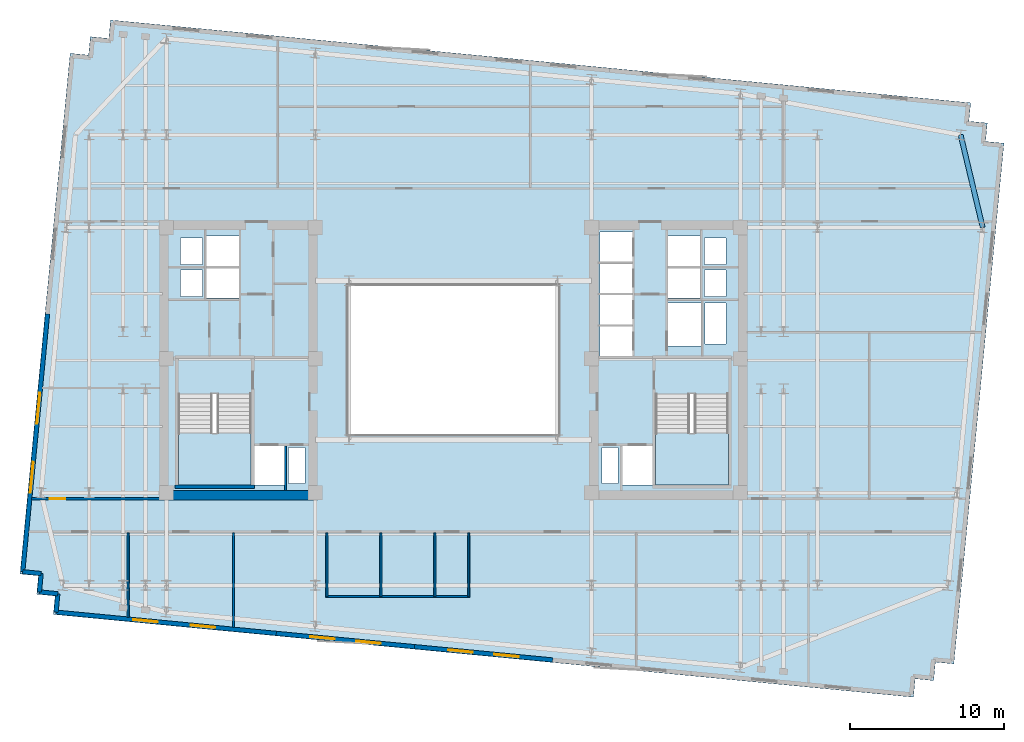
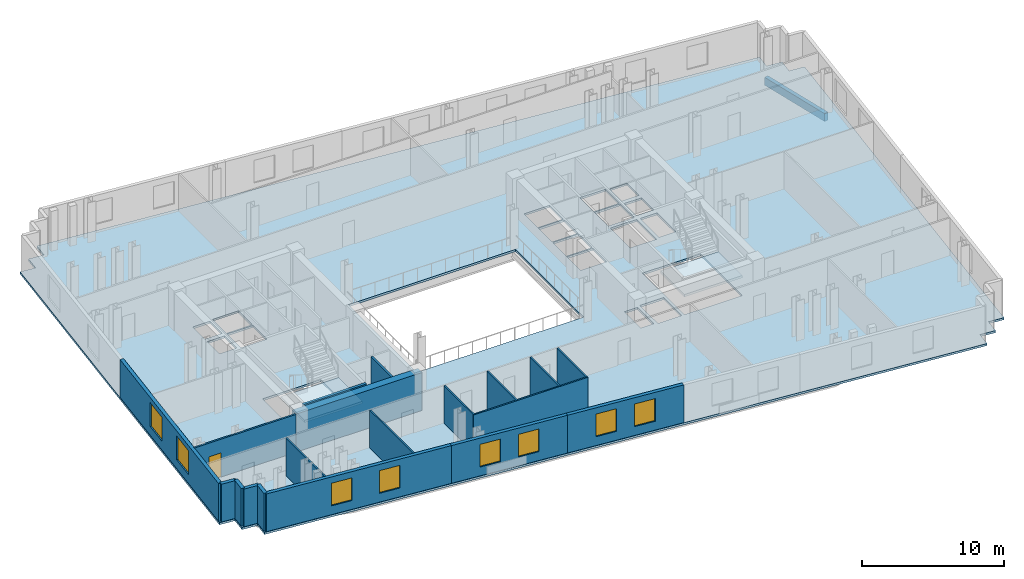
# One storey, part 3 of 9: 19 walls, 8 windows, 3 slabs, 1 beam, 1 door, 9 openings, 2 elements without a shape of their own.
"""IFC4 building model written with IfcOpenShell, lengths in metres."""

from ifc_helpers import new_model, si_unit, direction, frame, frame_2d, origin, origin_2d, place, context, subcontext, project, spatial, polyline, rectangle, outline, extrude, material, layer, layer_set, material_profile, profile_set, type_object, element, fill, aggregate, save


model = new_model("IFC4")

# Units and contexts
model_context = context("Model", 3, precision=1e-05, world=origin(), true_north=direction((0.0, 1.0)))
body_context = subcontext(model_context, "Body", "Model", "MODEL_VIEW")
ifc_project = project(units=[si_unit("LENGTHUNIT", "METRE"), si_unit("AREAUNIT", "SQUARE_METRE"), si_unit("VOLUMEUNIT", "CUBIC_METRE"), si_unit("PLANEANGLEUNIT", "RADIAN"), si_unit("MASSUNIT", "GRAM", prefix="KILO")], contexts=[model_context])

# Site, building, storey
site_placement = place(None, origin())
site = spatial("IfcSite", under=ifc_project, at=site_placement, CompositionType="ELEMENT")
building_placement = place(site_placement, origin())
building = spatial("IfcBuilding", under=site, at=building_placement, Name="Velakula Bourse", CompositionType="ELEMENT")
storey_placement = place(building_placement, frame((0.0, 0.0, 181.10009765625)))
storey = spatial("IfcBuildingStorey", under=building, at=storey_placement, Name="L49", CompositionType="ELEMENT", Elevation=181.10009765625)

# Beam
ifc_material_1 = material(Name="Precast concrete M45 (fck 45 MPa)", Category="concrete")
ifc_material_profile = material_profile(ifc_material_1, rectangle(XDim=0.320068359375, YDim=0.679931640625, at=origin_2d()), Name="Precast concrete M45 (fck 45 MPa)")
ifc_profile_set = profile_set([ifc_material_profile], Name="Precast concrete M45 (fck 45 MPa)")
beam_type = type_object("IfcBeamType", Name="SPN-BRICK-680", PredefinedType="SPANDREL", material=ifc_profile_set)
beam_placement = place(storey_placement, frame((34.30517578125, 8.60009765625, -0.52001953125), z_axis=(-0.232091371601, 0.972693988482, 0.0), x_axis=(-0.972693988482, -0.232091371601, 0.0)))
element("IfcBeam", 1, at=beam_placement, inside=storey, type_object=beam_type, Name="L49 Brick-Faced Precast Spandrel E3-E4", PredefinedType="SPANDREL", context=body_context, shape_type="SweptSolid", body=[
    extrude(rectangle(XDim=0.320068359375, YDim=0.679931640625, at=origin_2d()), origin(), (0.0, 0.0, 1.0), 6.16845703125),
])

# Stair, slab
ifc_material_2 = material(Name="Concrete M45 (fck 45 MPa)", Category="concrete")
stair_type = type_object("IfcStairType", Name="STR-DOG-390", PredefinedType="HALF_TURN_STAIR", material=ifc_material_2)
stair_1_placement = place(storey_placement, origin())
stair_1 = element("IfcStair", 2, at=stair_1_placement, inside=storey, type_object=stair_type, Name="L49 West Core Exit Stair ST-W1", PredefinedType="HALF_TURN_STAIR")
ifc_layer_1 = layer(ifc_material_2, 0.199951171875, Name="Concrete M45 (fck 45 MPa)", Category="concrete")
ifc_layer_set_1 = layer_set([ifc_layer_1], Name="Concrete M45 (fck 45 MPa)")
slab_type_1 = type_object("IfcSlabType", Name="SLB-STAIR-LND-200", PredefinedType="LANDING", material=ifc_layer_set_1)
slab_1_placement = place(storey_placement, frame((0.0, 0.0, 1.52490234375)))
slab_1 = element("IfcSlab", 3, at=slab_1_placement, type_object=slab_type_1, Name="ST-W1 landing 1", PredefinedType="LANDING", context=body_context, shape_type="SweptSolid", body=[
    extrude(outline(polyline([(-17.820068359375, -4.719970703125), (-17.820068359375, -8.10009765625), (-13.10009765625, -8.10009765625), (-13.10009765625, -4.719970703125), (-17.820068359375, -4.719970703125)])), origin(), (0.0, 0.0, 1.0), 0.199951171875),
])
aggregate(stair_1, [slab_1])

stair_2_placement = place(storey_placement, origin())
stair_2 = element("IfcStair", 4, at=stair_2_placement, inside=storey, type_object=stair_type, Name="L49 East Core Exit Stair ST-E1", PredefinedType="HALF_TURN_STAIR")
slab_2_placement = place(storey_placement, frame((0.0, 0.0, 1.52490234375)))
slab_2 = element("IfcSlab", 5, at=slab_2_placement, type_object=slab_type_1, Name="ST-E1 landing 1", PredefinedType="LANDING", context=body_context, shape_type="SweptSolid", body=[
    extrude(outline(polyline([(13.10009765625, -4.719970703125), (13.10009765625, -8.10009765625), (17.820068359375, -8.10009765625), (17.820068359375, -4.719970703125), (13.10009765625, -4.719970703125)])), origin(), (0.0, 0.0, 1.0), 0.199951171875),
])
aggregate(stair_2, [slab_2])

# Slab
ifc_material_3 = material(Name="Concrete M50 (fck 50 MPa)", Category="concrete")
ifc_layer_2 = layer(ifc_material_3, 0.179931640625, Name="Concrete M50 (fck 50 MPa)", Category="concrete")
ifc_layer_set_2 = layer_set([ifc_layer_2], Name="Concrete M50 (fck 50 MPa)")
slab_type_2 = type_object("IfcSlabType", Name="SLB-TWR-180", PredefinedType="FLOOR", material=ifc_layer_set_2)
slab_3_placement = place(storey_placement, frame((0.0, 0.0, -0.18017578125)))
element("IfcSlab", 6, at=slab_3_placement, inside=storey, type_object=slab_type_2, Name="L49 Suspended Structural Floor Slab", PredefinedType="FLOOR", context=body_context, shape_type="SweptSolid", body=[
    extrude(outline(polyline([(-25.92578125, -16.477294921875), (29.81640625, -21.844482421875), (29.931396484375, -20.650146484375), (31.1259765625, -20.76513671875), (31.240966796875, -19.570556640625), (32.435546875, -19.685791015625), (35.6845703125, 14.058349609375), (34.490234375, 14.17333984375), (34.605224609375, 15.36767578125), (33.41064453125, 15.482666015625), (33.525634765625, 16.67724609375), (-22.216552734375, 22.044677734375), (-22.33154296875, 20.85009765625), (-23.52587890625, 20.965087890625), (-23.640869140625, 19.770751953125), (-24.83544921875, 19.8857421875), (-28.084716796875, -13.858154296875), (-26.89013671875, -13.973388671875), (-27.005126953125, -15.167724609375), (-25.810791015625, -15.28271484375), (-25.92578125, -16.477294921875)]), holes=[polyline([(-17.820068359375, -8.10009765625), (-13.10009765625, -8.10009765625), (-13.10009765625, -2.199951171875), (-17.820068359375, -2.199951171875), (-17.820068359375, -8.10009765625)]), polyline([(13.10009765625, -8.10009765625), (17.820068359375, -8.10009765625), (17.820068359375, -2.199951171875), (13.10009765625, -2.199951171875), (13.10009765625, -8.10009765625)]), polyline([(-12.89990234375, -8.10009765625), (-10.949951171875, -8.10009765625), (-10.949951171875, -5.550048828125), (-12.89990234375, -5.550048828125), (-12.89990234375, -8.10009765625)]), polyline([(10.949951171875, -8.10009765625), (12.89990234375, -8.10009765625), (12.89990234375, -5.550048828125), (10.949951171875, -5.550048828125), (10.949951171875, -8.10009765625)]), polyline([(13.89990234375, 0.919921875), (16.050048828125, 0.919921875), (16.050048828125, 3.719970703125), (13.89990234375, 3.719970703125), (13.89990234375, 0.919921875)]), polyline([(-10.679931640625, -7.97998046875), (-9.6201171875, -7.97998046875), (-9.6201171875, -5.669921875), (-10.679931640625, -5.669921875), (-10.679931640625, -7.97998046875)]), polyline([(-17.679931640625, 4.139892578125), (-16.27001953125, 4.139892578125), (-16.27001953125, 5.85009765625), (-17.679931640625, 5.85009765625), (-17.679931640625, 4.139892578125)]), polyline([(-17.679931640625, 6.2099609375), (-16.27001953125, 6.2099609375), (-16.27001953125, 7.919921875), (-17.679931640625, 7.919921875), (-17.679931640625, 6.2099609375)]), polyline([(9.6201171875, -7.97998046875), (10.679931640625, -7.97998046875), (10.679931640625, -5.669921875), (9.6201171875, -5.669921875), (9.6201171875, -7.97998046875)]), polyline([(16.27001953125, 4.139892578125), (17.679931640625, 4.139892578125), (17.679931640625, 5.85009765625), (16.27001953125, 5.85009765625), (16.27001953125, 4.139892578125)]), polyline([(16.27001953125, 6.2099609375), (17.679931640625, 6.2099609375), (17.679931640625, 7.919921875), (16.27001953125, 7.919921875), (16.27001953125, 6.2099609375)]), polyline([(16.320068359375, 1.0400390625), (17.679931640625, 1.0400390625), (17.679931640625, 3.699951171875), (16.320068359375, 3.699951171875), (16.320068359375, 1.0400390625)]), polyline([(9.5, 0.280029296875), (11.60009765625, 0.280029296875), (11.60009765625, 2.199951171875), (9.5, 2.199951171875), (9.5, 0.280029296875)]), polyline([(9.5, 2.31005859375), (11.60009765625, 2.31005859375), (11.60009765625, 4.22998046875), (9.5, 4.22998046875), (9.5, 2.31005859375)]), polyline([(9.5, 4.340087890625), (11.60009765625, 4.340087890625), (11.60009765625, 6.260009765625), (9.5, 6.260009765625), (9.5, 4.340087890625)]), polyline([(9.5, 6.3701171875), (11.60009765625, 6.3701171875), (11.60009765625, 8.2900390625), (9.5, 8.2900390625), (9.5, 6.3701171875)]), polyline([(-16.0, 4.02001953125), (-13.89990234375, 4.02001953125), (-13.89990234375, 5.969970703125), (-16.0, 5.969970703125), (-16.0, 4.02001953125)]), polyline([(-16.0, 6.090087890625), (-13.89990234375, 6.090087890625), (-13.89990234375, 8.0400390625), (-16.0, 8.0400390625), (-16.0, 6.090087890625)]), polyline([(13.89990234375, 4.02001953125), (16.0, 4.02001953125), (16.0, 5.969970703125), (13.89990234375, 5.969970703125), (13.89990234375, 4.02001953125)]), polyline([(13.89990234375, 6.090087890625), (16.0, 6.090087890625), (16.0, 8.0400390625), (13.89990234375, 8.0400390625), (13.89990234375, 6.090087890625)]), polyline([(-6.800048828125, -4.800048828125), (6.800048828125, -4.800048828125), (6.800048828125, 4.800048828125), (-6.800048828125, 4.800048828125), (-6.800048828125, -4.800048828125)])]), origin(), (0.0, 0.0, 1.0), 0.18017578125),
])

# Walls
ifc_layer_3 = layer(ifc_material_3, 0.2099609375, Name="Concrete M50 (fck 50 MPa)", Category="concrete")
ifc_layer_set_3 = layer_set([ifc_layer_3], Name="Concrete M50 (fck 50 MPa)")
wall_type_1 = type_object("IfcWallType", Name="WL-CORE-210", PredefinedType="SHEAR", material=ifc_layer_set_3)
wall_1_placement = place(storey_placement, frame((-18.030029296875, -8.205078125, 0.0), z_axis=(0.0, 0.0, 1.0), x_axis=(1.0, 0.0, 0.0)))
element("IfcWall", 7, at=wall_1_placement, inside=storey, type_object=wall_type_1, Name="L49 Core W Stairwell Shear Wall S", PredefinedType="SHEAR", context=body_context, shape_type="SweptSolid", body=[
    extrude(rectangle(XDim=5.14013671875, YDim=0.2099609375, at=frame_2d((2.570068359375, 0.0))), origin(), (0.0, 0.0, 1.0), 3.27001953125),
])
ifc_material_4 = material(Name="Concrete M70 (fck 70 MPa)", Category="concrete")
ifc_layer_4 = layer(ifc_material_4, 0.60009765625, Name="Concrete M70 (fck 70 MPa)", Category="concrete")
ifc_layer_set_4 = layer_set([ifc_layer_4], Name="Concrete M70 (fck 70 MPa)")
wall_type_2 = type_object("IfcWallType", Name="WL-CORE-600", PredefinedType="SHEAR", material=ifc_layer_set_4)
wall_2_placement = place(storey_placement, frame((-19.050048828125, -8.75, 0.0), z_axis=(0.0, 0.0, 1.0), x_axis=(1.0, 0.0, 0.0)))
element("IfcWall", 8, at=wall_2_placement, inside=storey, type_object=wall_type_2, Name="L49 Core W Shear Wall S", PredefinedType="SHEAR", context=body_context, shape_type="SweptSolid", body=[
    extrude(rectangle(XDim=10.25, YDim=0.60009765625, at=frame_2d((5.125, 0.0))), origin(), (0.0, 0.0, 1.0), 3.27001953125),
])

# Wall, openings, windows
ifc_material_5 = material(Name="Red kilned clay facing brick masonry", Category="masonry")
ifc_layer_5 = layer(ifc_material_5, 0.280029296875, Name="Red kilned clay facing brick masonry", Category="masonry")
ifc_layer_set_5 = layer_set([ifc_layer_5], Name="Red kilned clay facing brick masonry")
wall_type_3 = type_object("IfcWallType", Name="WL-EXT-BRK-280", PredefinedType="STANDARD", material=ifc_layer_set_5)
wall_3_placement = place(storey_placement, frame((-11.47705078125, -17.707763671875, 0.0), z_axis=(0.0, 0.0, 1.0), x_axis=(-0.995395762701, 0.095850276977, 0.0)))
wall_3 = element("IfcWall", 9, at=wall_3_placement, inside=storey, type_object=wall_type_3, Name="L49 S Brick Spandrel Wall B1", PredefinedType="STANDARD", context=body_context, shape_type="SweptSolid", body=[
    extrude(rectangle(XDim=14.340087890625, YDim=0.280029296875, at=frame_2d((7.169921875, 0.0))), origin(), (0.0, 0.0, 1.0), 3.25),
])
opening_1_placement = place(wall_3_placement, frame((3.97998046875, 0.0, 0.760009765625)))
opening_1 = element("IfcOpeningElement", 10, at=opening_1_placement, cuts=wall_3, Name="Opening W-02", PredefinedType="OPENING", context=body_context, shape_type="SweptSolid", body=[
    extrude(rectangle(XDim=1.60009765625, YDim=1.949951171875, at=frame_2d((0.800048828125, 0.97509765625))), frame((0.0, 0.14990234375, 0.0), z_axis=(0.0, -1.0, 0.0), x_axis=(1.0, 0.0, 0.0)), (0.0, 0.0, 1.0), 0.300048828125),
])
opening_2_placement = place(wall_3_placement, frame((7.7099609375, 0.0, 0.760009765625)))
opening_2 = element("IfcOpeningElement", 11, at=opening_2_placement, cuts=wall_3, Name="Opening W-02", PredefinedType="OPENING", context=body_context, shape_type="SweptSolid", body=[
    extrude(rectangle(XDim=1.60009765625, YDim=1.949951171875, at=frame_2d((0.800048828125, 0.97509765625))), frame((0.0, 0.14990234375, 0.0), z_axis=(0.0, -1.0, 0.0), x_axis=(1.0, 0.0, 0.0)), (0.0, 0.0, 1.0), 0.300048828125),
])
ifc_material_6 = material(Name="Double-glazed solar-control Low-E glass", Category="glass")
window_type_1 = type_object("IfcWindowType", Name="WIN-TWR-1600x2100", PartitioningType="SINGLE_PANEL", PredefinedType="WINDOW", material=ifc_material_6)
window_1_placement = place(opening_1_placement, origin())
window_1 = element("IfcWindow", 12, at=window_1_placement, inside=storey, type_object=window_type_1, Name="L49 Deep-Set Recessed Window 1", OverallHeight=1.949951171875, OverallWidth=1.60009765625, PartitioningType="SINGLE_PANEL", PredefinedType="WINDOW", context=body_context, shape_type="SweptSolid", body=[
    extrude(rectangle(XDim=1.60009765625, YDim=1.949951171875, at=frame_2d((0.800048828125, 0.97509765625))), frame((0.0, 0.030029296875, 0.0), z_axis=(0.0, -1.0, 0.0), x_axis=(1.0, 0.0, 0.0)), (0.0, 0.0, 1.0), 0.06005859375),
])
fill(opening_1, window_1)
window_2_placement = place(opening_2_placement, origin())
window_2 = element("IfcWindow", 13, at=window_2_placement, inside=storey, type_object=window_type_1, Name="L49 Deep-Set Recessed Window 2", OverallHeight=1.949951171875, OverallWidth=1.60009765625, PartitioningType="SINGLE_PANEL", PredefinedType="WINDOW", context=body_context, shape_type="SweptSolid", body=[
    extrude(rectangle(XDim=1.60009765625, YDim=1.949951171875, at=frame_2d((0.800048828125, 0.97509765625))), frame((0.0, 0.030029296875, 0.0), z_axis=(0.0, -1.0, 0.0), x_axis=(1.0, 0.0, 0.0)), (0.0, 0.0, 1.0), 0.06005859375),
])
fill(opening_2, window_2)

wall_4_placement = place(storey_placement, frame((-2.5185546875, -18.5703125, 0.0), z_axis=(0.0, 0.0, 1.0), x_axis=(-0.995396794462, 0.09583956164, 0.0)))
wall_4 = element("IfcWall", 14, at=wall_4_placement, inside=storey, type_object=wall_type_3, Name="L49 S Brick Spandrel Wall B2", PredefinedType="STANDARD", context=body_context, shape_type="SweptSolid", body=[
    extrude(rectangle(XDim=9.0, YDim=0.280029296875, at=frame_2d((4.5, 0.0))), origin(), (0.0, 0.0, 1.0), 3.25),
])
opening_3_placement = place(wall_4_placement, frame((2.199951171875, 0.0, 0.760009765625)))
opening_3 = element("IfcOpeningElement", 15, at=opening_3_placement, cuts=wall_4, Name="Opening W-02", PredefinedType="OPENING", context=body_context, shape_type="SweptSolid", body=[
    extrude(rectangle(XDim=1.60009765625, YDim=1.949951171875, at=frame_2d((0.800048828125, 0.97509765625))), frame((0.0, 0.14990234375, 0.0), z_axis=(0.0, -1.0, 0.0), x_axis=(1.0, 0.0, 0.0)), (0.0, 0.0, 1.0), 0.300048828125),
])
opening_4_placement = place(wall_4_placement, frame((5.199951171875, 0.0, 0.760009765625)))
opening_4 = element("IfcOpeningElement", 16, at=opening_4_placement, cuts=wall_4, Name="Opening W-02", PredefinedType="OPENING", context=body_context, shape_type="SweptSolid", body=[
    extrude(rectangle(XDim=1.60009765625, YDim=1.949951171875, at=frame_2d((0.800048828125, 0.97509765625))), frame((0.0, 0.14990234375, 0.0), z_axis=(0.0, -1.0, 0.0), x_axis=(1.0, 0.0, 0.0)), (0.0, 0.0, 1.0), 0.300048828125),
])
window_3_placement = place(opening_3_placement, origin())
window_3 = element("IfcWindow", 17, at=window_3_placement, inside=storey, type_object=window_type_1, Name="L49 Deep-Set Recessed Window 1", OverallHeight=1.949951171875, OverallWidth=1.60009765625, PartitioningType="SINGLE_PANEL", PredefinedType="WINDOW", context=body_context, shape_type="SweptSolid", body=[
    extrude(rectangle(XDim=1.60009765625, YDim=1.949951171875, at=frame_2d((0.800048828125, 0.97509765625))), frame((0.0, 0.030029296875, 0.0), z_axis=(0.0, -1.0, 0.0), x_axis=(1.0, 0.0, 0.0)), (0.0, 0.0, 1.0), 0.06005859375),
])
fill(opening_3, window_3)
window_4_placement = place(opening_4_placement, origin())
window_4 = element("IfcWindow", 18, at=window_4_placement, inside=storey, type_object=window_type_1, Name="L49 Deep-Set Recessed Window 2", OverallHeight=1.949951171875, OverallWidth=1.60009765625, PartitioningType="SINGLE_PANEL", PredefinedType="WINDOW", context=body_context, shape_type="SweptSolid", body=[
    extrude(rectangle(XDim=1.60009765625, YDim=1.949951171875, at=frame_2d((0.800048828125, 0.97509765625))), frame((0.0, 0.030029296875, 0.0), z_axis=(0.0, -1.0, 0.0), x_axis=(1.0, 0.0, 0.0)), (0.0, 0.0, 1.0), 0.06005859375),
])
fill(opening_4, window_4)

wall_5_placement = place(storey_placement, frame((6.43994140625, -19.432861328125, 0.0), z_axis=(0.0, 0.0, 1.0), x_axis=(-0.995396794462, 0.09583956164, 0.0)))
wall_5 = element("IfcWall", 19, at=wall_5_placement, inside=storey, type_object=wall_type_3, Name="L49 S Brick Spandrel Wall B3", PredefinedType="STANDARD", context=body_context, shape_type="SweptSolid", body=[
    extrude(rectangle(XDim=9.0, YDim=0.280029296875, at=frame_2d((4.5, 0.0))), origin(), (0.0, 0.0, 1.0), 3.25),
])
opening_5_placement = place(wall_5_placement, frame((2.199951171875, 0.0, 0.760009765625)))
opening_5 = element("IfcOpeningElement", 20, at=opening_5_placement, cuts=wall_5, Name="Opening W-02", PredefinedType="OPENING", context=body_context, shape_type="SweptSolid", body=[
    extrude(rectangle(XDim=1.60009765625, YDim=1.949951171875, at=frame_2d((0.800048828125, 0.97509765625))), frame((0.0, 0.14990234375, 0.0), z_axis=(0.0, -1.0, 0.0), x_axis=(1.0, 0.0, 0.0)), (0.0, 0.0, 1.0), 0.300048828125),
])
opening_6_placement = place(wall_5_placement, frame((5.199951171875, 0.0, 0.760009765625)))
opening_6 = element("IfcOpeningElement", 21, at=opening_6_placement, cuts=wall_5, Name="Opening W-02", PredefinedType="OPENING", context=body_context, shape_type="SweptSolid", body=[
    extrude(rectangle(XDim=1.60009765625, YDim=1.949951171875, at=frame_2d((0.800048828125, 0.97509765625))), frame((0.0, 0.14990234375, 0.0), z_axis=(0.0, -1.0, 0.0), x_axis=(1.0, 0.0, 0.0)), (0.0, 0.0, 1.0), 0.300048828125),
])
window_5_placement = place(opening_5_placement, origin())
window_5 = element("IfcWindow", 22, at=window_5_placement, inside=storey, type_object=window_type_1, Name="L49 Deep-Set Recessed Window 1", OverallHeight=1.949951171875, OverallWidth=1.60009765625, PartitioningType="SINGLE_PANEL", PredefinedType="WINDOW", context=body_context, shape_type="SweptSolid", body=[
    extrude(rectangle(XDim=1.60009765625, YDim=1.949951171875, at=frame_2d((0.800048828125, 0.97509765625))), frame((0.0, 0.030029296875, 0.0), z_axis=(0.0, -1.0, 0.0), x_axis=(1.0, 0.0, 0.0)), (0.0, 0.0, 1.0), 0.06005859375),
])
fill(opening_5, window_5)
window_6_placement = place(opening_6_placement, origin())
window_6 = element("IfcWindow", 23, at=window_6_placement, inside=storey, type_object=window_type_1, Name="L49 Deep-Set Recessed Window 2", OverallHeight=1.949951171875, OverallWidth=1.60009765625, PartitioningType="SINGLE_PANEL", PredefinedType="WINDOW", context=body_context, shape_type="SweptSolid", body=[
    extrude(rectangle(XDim=1.60009765625, YDim=1.949951171875, at=frame_2d((0.800048828125, 0.97509765625))), frame((0.0, 0.030029296875, 0.0), z_axis=(0.0, -1.0, 0.0), x_axis=(1.0, 0.0, 0.0)), (0.0, 0.0, 1.0), 0.06005859375),
])
fill(opening_6, window_6)

wall_6_placement = place(storey_placement, frame((-27.909912109375, -13.71435546875, 0.0), z_axis=(0.0, 0.0, 1.0), x_axis=(0.095839027265, 0.995396845913, 0.0)))
wall_6 = element("IfcWall", 24, at=wall_6_placement, inside=storey, type_object=wall_type_3, Name="L49 W Brick End Wall W1", PredefinedType="STANDARD", context=body_context, shape_type="SweptSolid", body=[
    extrude(rectangle(XDim=16.7900390625, YDim=0.280029296875, at=frame_2d((8.39501953125, 0.0))), origin(), (0.0, 0.0, 1.0), 3.25),
])
opening_7_placement = place(wall_6_placement, frame((5.146728515625, 0.0, 0.760009765625)))
opening_7 = element("IfcOpeningElement", 25, at=opening_7_placement, cuts=wall_6, Name="Opening W-05", PredefinedType="OPENING", context=body_context, shape_type="SweptSolid", body=[
    extrude(rectangle(XDim=2.0, YDim=2.050048828125, at=frame_2d((1.0, 1.02490234375))), frame((0.0, 0.14990234375, 0.0), z_axis=(0.0, -1.0, 0.0), x_axis=(1.0, 0.0, 0.0)), (0.0, 0.0, 1.0), 0.300048828125),
])
opening_8_placement = place(wall_6_placement, frame((9.643310546875, 0.0, 0.760009765625)))
opening_8 = element("IfcOpeningElement", 26, at=opening_8_placement, cuts=wall_6, Name="Opening W-05", PredefinedType="OPENING", context=body_context, shape_type="SweptSolid", body=[
    extrude(rectangle(XDim=2.0, YDim=2.050048828125, at=frame_2d((1.0, 1.02490234375))), frame((0.0, 0.14990234375, 0.0), z_axis=(0.0, -1.0, 0.0), x_axis=(1.0, 0.0, 0.0)), (0.0, 0.0, 1.0), 0.300048828125),
])
window_type_2 = type_object("IfcWindowType", Name="WIN-TWR-2000x2200", PartitioningType="DOUBLE_PANEL_VERTICAL", PredefinedType="WINDOW", material=ifc_material_6)
window_7_placement = place(opening_7_placement, origin())
window_7 = element("IfcWindow", 27, at=window_7_placement, inside=storey, type_object=window_type_2, Name="L49 Deep-Set Recessed Window 1", OverallHeight=2.050048828125, OverallWidth=2.0, PartitioningType="DOUBLE_PANEL_VERTICAL", PredefinedType="WINDOW", context=body_context, shape_type="SweptSolid", body=[
    extrude(rectangle(XDim=2.0, YDim=2.050048828125, at=frame_2d((1.0, 1.02490234375))), frame((0.0, 0.030029296875, 0.0), z_axis=(0.0, -1.0, 0.0), x_axis=(1.0, 0.0, 0.0)), (0.0, 0.0, 1.0), 0.06005859375),
])
fill(opening_7, window_7)
window_8_placement = place(opening_8_placement, origin())
window_8 = element("IfcWindow", 28, at=window_8_placement, inside=storey, type_object=window_type_2, Name="L49 Deep-Set Recessed Window 2", OverallHeight=2.050048828125, OverallWidth=2.0, PartitioningType="DOUBLE_PANEL_VERTICAL", PredefinedType="WINDOW", context=body_context, shape_type="SweptSolid", body=[
    extrude(rectangle(XDim=2.0, YDim=2.050048828125, at=frame_2d((1.0, 1.02490234375))), frame((0.0, 0.030029296875, 0.0), z_axis=(0.0, -1.0, 0.0), x_axis=(1.0, 0.0, 0.0)), (0.0, 0.0, 1.0), 0.06005859375),
])
fill(opening_8, window_8)

# Walls
wall_7_placement = place(storey_placement, frame((-27.909912109375, -13.71435546875, 0.0), z_axis=(0.0, 0.0, 1.0), x_axis=(0.995397091755, -0.095836473879, 0.0)))
element("IfcWall", 29, at=wall_7_placement, inside=storey, type_object=wall_type_3, Name="L49 Serrated Corner Brick Wall SW-1", PredefinedType="STANDARD", context=body_context, shape_type="SweptSolid", body=[
    extrude(rectangle(XDim=1.199951171875, YDim=0.280029296875, at=frame_2d((0.60009765625, 0.0))), origin(), (0.0, 0.0, 1.0), 3.25),
])
for number, where, z_axis, x_axis, name in (
    (30, (-26.715576171875, -13.829345703125, 0.0), (0.0, 0.0, 1.0), (-0.095817067274, -0.995398960025, 0.0), "L49 Serrated Corner Brick Wall SW-2"),
    (31, (-26.83056640625, -15.02392578125, 0.0), (0.0, 0.0, 1.0), (0.995398960025, -0.095817067274, 0.0), "L49 Serrated Corner Brick Wall SW-3"),
):
    element("IfcWall", number, at=place(storey_placement, frame(where, z_axis=z_axis, x_axis=x_axis)), inside=storey, type_object=wall_type_3, Name=name, PredefinedType="STANDARD", context=body_context, shape_type="SweptSolid", body=[
        extrude(rectangle(XDim=1.2001953125, YDim=0.280029296875, at=frame_2d((0.60009765625, 0.0))), origin(), (0.0, 0.0, 1.0), 3.25),
    ])
wall_8_placement = place(storey_placement, frame((-25.635986328125, -15.138916015625, 0.0), z_axis=(0.0, 0.0, 1.0), x_axis=(-0.096038073607, -0.995377661201, 0.0)))
element("IfcWall", 32, at=wall_8_placement, inside=storey, type_object=wall_type_3, Name="L49 Serrated Corner Brick Wall SW-4", PredefinedType="STANDARD", context=body_context, shape_type="SweptSolid", body=[
    extrude(rectangle(XDim=1.199951171875, YDim=0.280029296875, at=frame_2d((0.60009765625, 0.0))), origin(), (0.0, 0.0, 1.0), 3.25),
])
ifc_material_7 = material(Name="Fire-rated double-layer gypsum drywall partition", Category="gypsum")
ifc_layer_6 = layer(ifc_material_7, 0.1201171875, Name="Fire-rated double-layer gypsum drywall partition", Category="gypsum")
ifc_layer_set_6 = layer_set([ifc_layer_6], Name="Fire-rated double-layer gypsum drywall partition")
wall_type_4 = type_object("IfcWallType", Name="WL-PART-120", PredefinedType="STANDARD", material=ifc_layer_set_6)
wall_9_placement = place(storey_placement, frame((-8.260009765625, -15.320068359375, 0.0), z_axis=(0.0, 0.0, 1.0), x_axis=(1.0, 0.0, 0.0)))
element("IfcWall", 33, at=wall_9_placement, inside=storey, type_object=wall_type_4, Name="L49 Interior Partition WL-WC-L49-BACK", PredefinedType="STANDARD", context=body_context, shape_type="SweptSolid", body=[
    extrude(rectangle(XDim=9.320068359375, YDim=0.1201171875, at=frame_2d((4.66015625, 0.0))), origin(), (0.0, 0.0, 1.0), 3.25),
])
for number, where, z_axis, x_axis, name in (
    (34, (-8.199951171875, -15.320068359375, 0.0), (0.0, 0.0, 1.0), (0.0, 1.0, 0.0), "L49 Interior Partition WL-WC-L49-V1"),
    (35, (-4.699951171875, -15.320068359375, 0.0), (0.0, 0.0, 1.0), (0.0, 1.0, 0.0), "L49 Interior Partition WL-WC-L49-V2"),
    (36, (-1.199951171875, -15.320068359375, 0.0), (0.0, 0.0, 1.0), (0.0, 1.0, 0.0), "L49 Interior Partition WL-WC-L49-V3"),
    (37, (1.0, -15.320068359375, 0.0), (0.0, 0.0, 1.0), (0.0, 1.0, 0.0), "L49 Interior Partition WL-WC-L49-V4"),
):
    element("IfcWall", number, at=place(storey_placement, frame(where, z_axis=z_axis, x_axis=x_axis)), inside=storey, type_object=wall_type_4, Name=name, PredefinedType="STANDARD", context=body_context, shape_type="SweptSolid", body=[
        extrude(rectangle(XDim=4.130126953125, YDim=0.1201171875, at=frame_2d((2.06494140625, 0.0))), origin(), (0.0, 0.0, 1.0), 3.25),
    ])
wall_10_placement = place(storey_placement, frame((-21.0791015625, -16.66259765625, 0.0), z_axis=(0.0, 0.0, 1.0), x_axis=(0.0, 1.0, 0.0)))
element("IfcWall", 38, at=wall_10_placement, inside=storey, type_object=wall_type_4, Name="L49 Interior Partition WL-INT-L49-SL-D5", PredefinedType="STANDARD", context=body_context, shape_type="SweptSolid", body=[
    extrude(rectangle(XDim=5.47265625, YDim=0.1201171875, at=frame_2d((2.736328125, 0.0))), origin(), (0.0, 0.0, 1.0), 3.25),
])
wall_11_placement = place(storey_placement, frame((-14.2490234375, -17.3203125, 0.0), z_axis=(0.0, 0.0, 1.0), x_axis=(0.0, 1.0, 0.0)))
element("IfcWall", 39, at=wall_11_placement, inside=storey, type_object=wall_type_4, Name="L49 Interior Partition WL-INT-L49-SL-D6", PredefinedType="STANDARD", context=body_context, shape_type="SweptSolid", body=[
    extrude(rectangle(XDim=6.13037109375, YDim=0.1201171875, at=frame_2d((3.065185546875, 0.0))), origin(), (0.0, 0.0, 1.0), 3.25),
])

# Wall, opening, door
ifc_layer_7 = layer(ifc_material_7, 0.139892578125, Name="Fire-rated double-layer gypsum drywall partition", Category="gypsum")
ifc_layer_set_7 = layer_set([ifc_layer_7], Name="Fire-rated double-layer gypsum drywall partition")
wall_type_5 = type_object("IfcWallType", Name="WL-PART-140", PredefinedType="STANDARD", material=ifc_layer_set_7)
wall_12_placement = place(storey_placement, frame((-27.33349609375, -8.97998046875, 0.0), z_axis=(0.0, 0.0, 1.0), x_axis=(1.0, 0.0, 0.0)))
wall_12 = element("IfcWall", 40, at=wall_12_placement, inside=storey, type_object=wall_type_5, Name="L49 Interior Partition WL-INT-L49-W-SC", PredefinedType="STANDARD", context=body_context, shape_type="SweptSolid", body=[
    extrude(rectangle(XDim=8.283447265625, YDim=0.139892578125, at=frame_2d((4.1416015625, 0.0))), origin(), (0.0, 0.0, 1.0), 3.25),
])
opening_9_placement = place(wall_12_placement, frame((1.17724609375, 0.0, 0.0)))
opening_9 = element("IfcOpeningElement", 41, at=opening_9_placement, cuts=wall_12, Name="Opening D-OF1", PredefinedType="OPENING", context=body_context, shape_type="SweptSolid", body=[
    extrude(rectangle(XDim=1.0, YDim=2.080078125, at=frame_2d((0.5, 1.0400390625))), frame((0.0, 0.079833984375, 0.0), z_axis=(0.0, -1.0, 0.0), x_axis=(1.0, 0.0, 0.0)), (0.0, 0.0, 1.0), 0.159912109375),
])
ifc_material_8 = material(Name="Fire-rated hardwood flush architectural door", Category="wood")
door_type = type_object("IfcDoorType", Name="DR-OFF-1000", OperationType="NOTDEFINED", PredefinedType="DOOR", material=ifc_material_8)
door_placement = place(opening_9_placement, origin())
door = element("IfcDoor", 42, at=door_placement, inside=storey, type_object=door_type, Name="L49 Commodity Futures Workspace Door", OperationType="SINGLE_SWING_LEFT", OverallHeight=2.080078125, OverallWidth=1.0, PredefinedType="DOOR", context=body_context, shape_type="SweptSolid", body=[
    extrude(rectangle(XDim=1.0, YDim=2.080078125, at=frame_2d((0.5, 1.0400390625))), frame((0.0, 0.02490234375, 0.0), z_axis=(0.0, -1.0, 0.0), x_axis=(1.0, 0.0, 0.0)), (0.0, 0.0, 1.0), 0.050048828125),
])
fill(opening_9, door)

# Wall
ifc_material_9 = material(Name="Autoclaved aerated concrete blockwork masonry", Category="masonry")
ifc_layer_8 = layer(ifc_material_9, 0.14990234375, Name="Autoclaved aerated concrete blockwork masonry", Category="masonry")
ifc_layer_set_8 = layer_set([ifc_layer_8], Name="Autoclaved aerated concrete blockwork masonry")
wall_type_6 = type_object("IfcWallType", Name="WL-SHAFT-150", PredefinedType="STANDARD", material=ifc_layer_set_8)
wall_13_placement = place(storey_placement, frame((-10.875, -8.449951171875, 0.0), z_axis=(0.0, 0.0, 1.0), x_axis=(0.0, 1.0, 0.0)))
element("IfcWall", 43, at=wall_13_placement, inside=storey, type_object=wall_type_6, Name="L49 Interior Partition WL-CRW-L49-FR-DIV", PredefinedType="STANDARD", context=body_context, shape_type="SweptSolid", body=[
    extrude(rectangle(XDim=2.89990234375, YDim=0.14990234375, at=frame_2d((1.449951171875, 0.0))), origin(), (0.0, 0.0, 1.0), 3.25),
])

save(model, "model.ifc")
